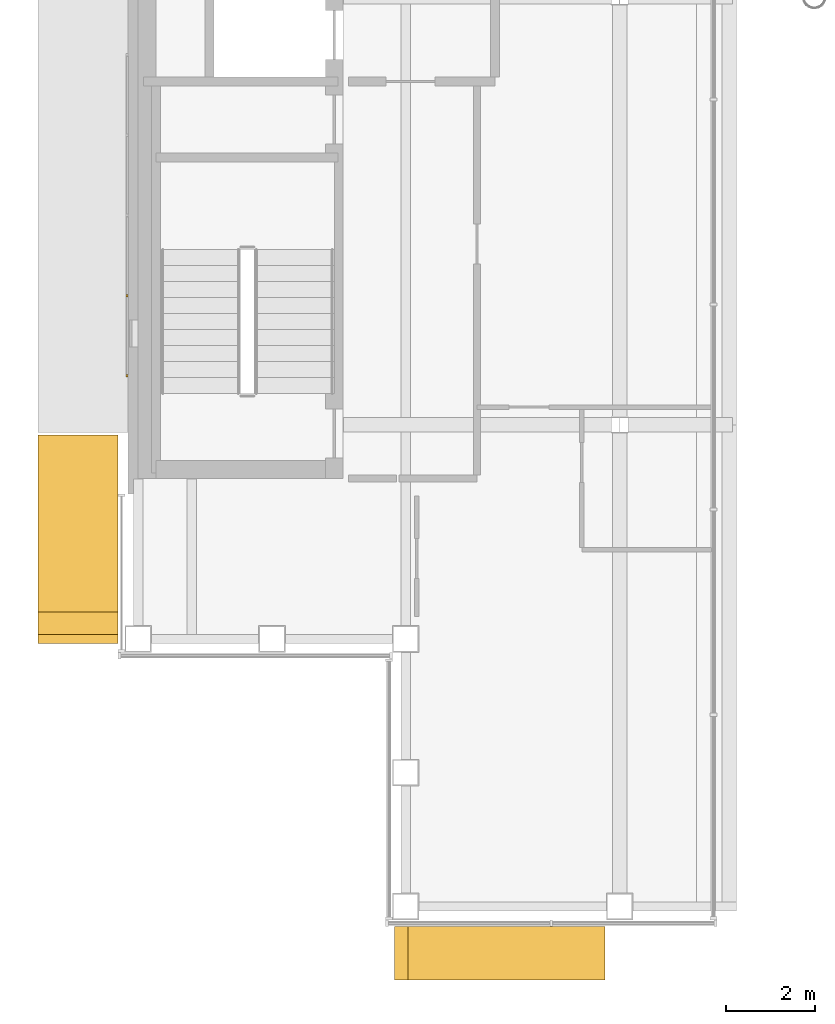
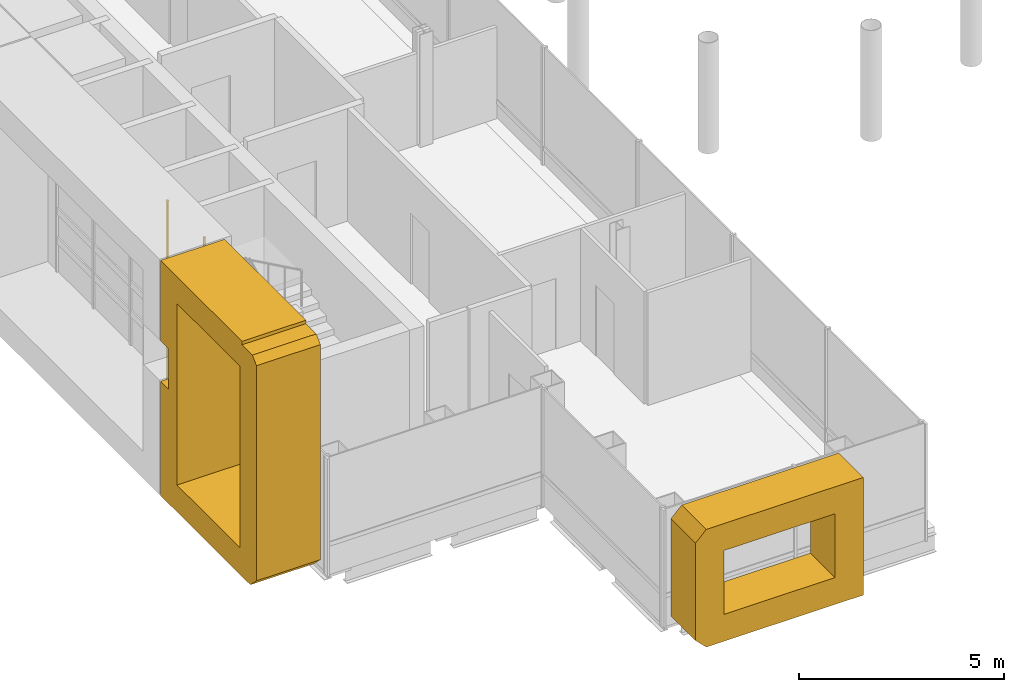
# One storey, part 14 of 21: 4 coverings.
"""IFC4 building model written with IfcOpenShell, lengths in metres."""

from ifc_helpers import new_model, si_unit, direction, frame, origin, origin_2d, place, context, subcontext, project, spatial, polyline, rectangle, outline, extrude, material, type_object, element, save


model = new_model("IFC4")

# Units and contexts
model_context = context("Model", 3, precision=1e-05, world=origin(), true_north=direction((0.0, 1.0)))
body_context = subcontext(model_context, "Body", "Model", "MODEL_VIEW")
ifc_project = project(units=[si_unit("LENGTHUNIT", "METRE"), si_unit("AREAUNIT", "SQUARE_METRE"), si_unit("VOLUMEUNIT", "CUBIC_METRE"), si_unit("PLANEANGLEUNIT", "RADIAN"), si_unit("MASSUNIT", "GRAM", prefix="KILO")], contexts=[model_context])

# Site, building, storey
site_placement = place(None, origin())
site = spatial("IfcSite", under=ifc_project, at=site_placement, CompositionType="ELEMENT")
building_placement = place(site_placement, origin())
building = spatial("IfcBuilding", under=site, at=building_placement, Name="Cobrizo Arcos Hotel Tower", CompositionType="ELEMENT")
storey_placement = place(building_placement, frame((0.0, 0.0, 269.0)))
storey = spatial("IfcBuildingStorey", under=building, at=storey_placement, Name="L71", CompositionType="ELEMENT", Elevation=269.0)

# Coverings
ifc_material_1 = material(Name="Aluminium 6063-T6 anodised bronze", Category="aluminium")
covering_type_1 = type_object("IfcCoveringType", Name="FIN-F 1200", PredefinedType="CLADDING", material=ifc_material_1)
covering_1_placement = place(storey_placement, frame((-14.64990234375, -20.85009765625, 0.0), z_axis=(0.0, -1.0, 0.0), x_axis=(1.0, 0.0, 0.0)))
element("IfcCovering", 1, at=covering_1_placement, inside=storey, type_object=covering_type_1, Name="Fin frame 421", PredefinedType="CLADDING", context=body_context, shape_type="SweptSolid", body=[
    extrude(outline(polyline([(0.0, 0.300048828125), (0.300048828125, 0.0), (4.72509765625, 0.0), (4.72509765625, 3.5), (0.300048828125, 3.5), (0.0, 3.199951171875), (0.0, 0.300048828125)]), holes=[polyline([(3.925048828125, 0.800048828125), (0.800048828125, 0.800048828125), (0.800048828125, 2.699951171875), (3.925048828125, 2.699951171875), (3.925048828125, 0.800048828125)])]), origin(), (0.0, 0.0, 1.0), 1.199951171875),
])
covering_type_2 = type_object("IfcCoveringType", Name="FIN-F 1800", PredefinedType="CLADDING", material=ifc_material_1)
covering_2_placement = place(storey_placement, frame((-20.85009765625, -9.824951171875, 0.0), z_axis=(-1.0, 0.0, 0.0), x_axis=(0.0, -1.0, 0.0)))
element("IfcCovering", 2, at=covering_2_placement, inside=storey, type_object=covering_type_2, Name="Fin frame 442", PredefinedType="CLADDING", context=body_context, shape_type="SweptSolid", body=[
    extrude(outline(polyline([(4.675048828125, 6.699951171875), (4.47705078125, 6.89794921875), (3.972900390625, 6.89794921875), (3.972900390625, 7.0), (0.0, 7.0), (0.0, 4.60205078125), (0.376953125, 4.60205078125), (0.376953125, 3.39794921875), (0.0, 3.39794921875), (0.0, 0.0), (4.375, 0.0), (4.675048828125, 0.300048828125), (4.675048828125, 6.699951171875)]), holes=[polyline([(3.875, 0.800048828125), (0.800048828125, 0.800048828125), (0.800048828125, 6.199951171875), (3.875, 6.199951171875), (3.875, 0.800048828125)])]), origin(), (0.0, 0.0, 1.0), 1.7998046875),
])
ifc_material_2 = material(Name="Aluminium 6063-T6 anodised pale", Category="aluminium")
covering_type_3 = type_object("IfcCoveringType", Name="RS-2 rainscreen rib 60x50", PredefinedType="CLADDING", material=ifc_material_2)
for number, where, z_axis, x_axis, name in (
    (3, (-20.64990234375, -6.699951171875, 0.800048828125), (0.0, 0.0, 1.0), (0.0, -1.0, 0.0), "Rainscreen rib 359"),
    (4, (-20.64990234375, -8.5, 0.800048828125), (0.0, 0.0, 1.0), (0.0, -1.0, 0.0), "Rainscreen rib 360"),
):
    element("IfcCovering", number, at=place(storey_placement, frame(where, z_axis=z_axis, x_axis=x_axis)), inside=storey, type_object=covering_type_3, Name=name, PredefinedType="CLADDING", context=body_context, shape_type="SweptSolid", body=[
        extrude(rectangle(XDim=0.06005859375, YDim=0.050048828125, at=origin_2d()), origin(), (0.0, 0.0, 1.0), 5.39990234375),
    ])

save(model, "model.ifc")
